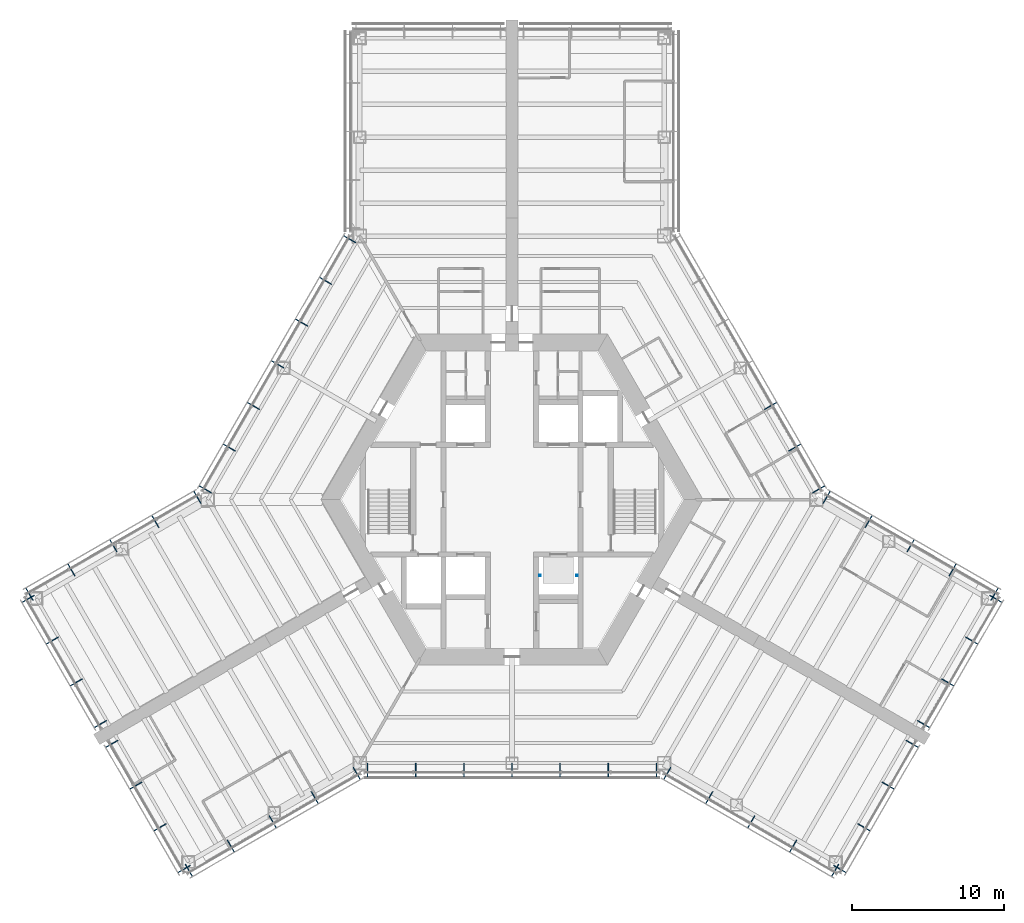
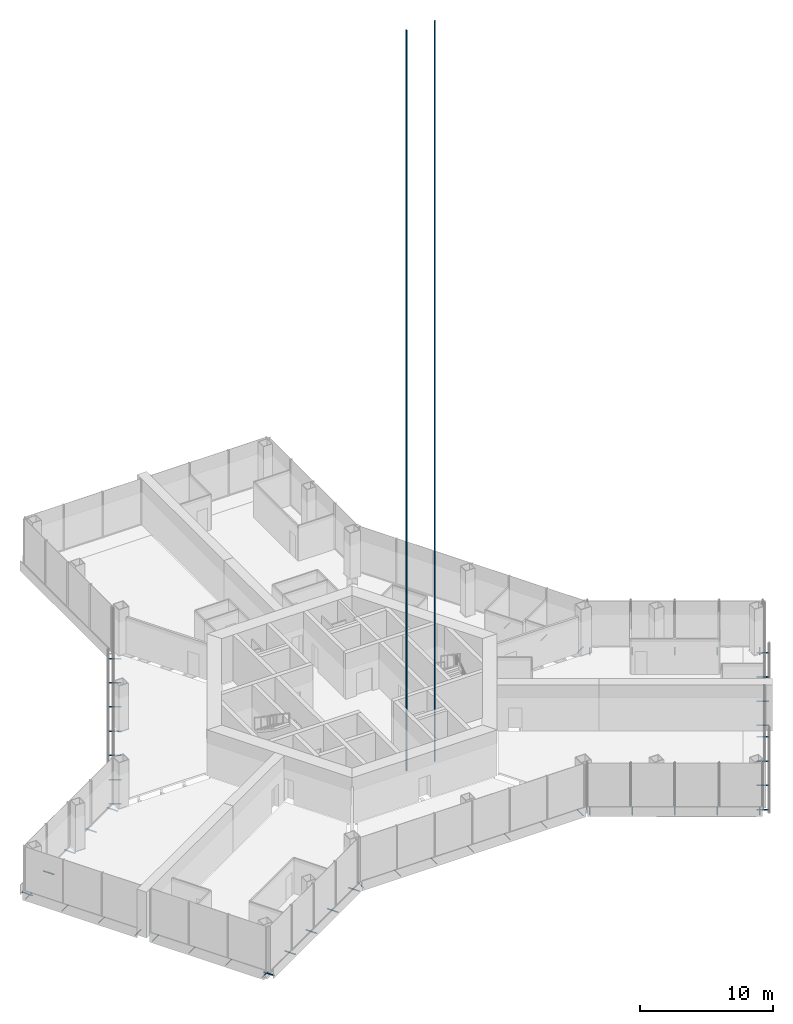
# One storey, part 14 of 18: 54 discrete accessories.
"""IFC4 building model written with IfcOpenShell, lengths in metres."""

from ifc_helpers import new_model, si_unit, direction, frame, origin, origin_2d, place, context, subcontext, project, spatial, rectangle, hollow_circle, extrude, material, material_profile, profile_set, type_object, element, save


model = new_model("IFC4")

# Units and contexts
model_context = context("Model", 3, precision=1e-05, world=origin(), true_north=direction((0.0, 1.0)))
body_context = subcontext(model_context, "Body", "Model", "MODEL_VIEW")
ifc_project = project(units=[si_unit("LENGTHUNIT", "METRE"), si_unit("AREAUNIT", "SQUARE_METRE"), si_unit("VOLUMEUNIT", "CUBIC_METRE"), si_unit("PLANEANGLEUNIT", "RADIAN"), si_unit("MASSUNIT", "GRAM", prefix="KILO")], contexts=[model_context])

# Site, building, storey
site_placement = place(None, origin())
site = spatial("IfcSite", under=ifc_project, at=site_placement, CompositionType="ELEMENT")
building_placement = place(site_placement, origin())
building = spatial("IfcBuilding", under=site, at=building_placement, Name="Kasaneha Research Tower", CompositionType="ELEMENT")
storey_placement = place(building_placement, frame((0.0, 0.0, 57.0)))
storey = spatial("IfcBuildingStorey", under=building, at=storey_placement, Name="L14", CompositionType="ELEMENT", Elevation=57.0)

# Discrete accessories
ifc_material_1 = material(Name="Steel SN400B", Category="steel")
discrete_accessory_type_1 = type_object("IfcDiscreteAccessoryType", Name="Lift guide rail 100x100", PredefinedType="USERDEFINED", material=ifc_material_1)
discrete_accessory_1_placement = place(storey_placement, frame((0.0, 0.0, -57.0)))
element("IfcDiscreteAccessory", 1, at=discrete_accessory_1_placement, inside=storey, type_object=discrete_accessory_type_1, Name="Lift LO3 guide rails", ObjectType="GUIDE RAIL", PredefinedType="USERDEFINED", context=body_context, shape_type="SweptSolid", body=[
    extrude(rectangle(XDim=0.10009765625, YDim=0.10009765625, at=origin_2d()), frame((1.824951171875, -5.0, 55.4501953125)), (0.0, 0.0, 1.0), 67.800048828125),
    extrude(rectangle(XDim=0.10009765625, YDim=0.10009765625, at=origin_2d()), frame((4.27490234375, -5.0, 55.4501953125)), (0.0, 0.0, 1.0), 67.800048828125),
])
ifc_material_2 = material(Name="Steel STK400", Category="steel")
ifc_material_profile = material_profile(ifc_material_2, hollow_circle(Radius=0.0380859375, WallThickness=0.00390625, at=origin_2d()), Name="CHS-76.3x4.0")
ifc_profile_set = profile_set([ifc_material_profile], Name="Steel STK400")
discrete_accessory_type_2 = type_object("IfcDiscreteAccessoryType", Name="Screen bracket CHS-76.3x4.0", PredefinedType="BRACKET", material=ifc_profile_set)
discrete_accessory_2_placement = place(storey_placement, frame((-21.474853515625, -23.945556640625, -0.320068359375), z_axis=(0.500021113727, -0.866013213425, 0.0), x_axis=(0.866013213425, 0.500021113727, 0.0)))
element("IfcDiscreteAccessory", 2, at=discrete_accessory_2_placement, inside=storey, type_object=discrete_accessory_type_2, Name="Screen bracket 1", PredefinedType="BRACKET", context=body_context, shape_type="SweptSolid", body=[
    extrude(hollow_circle(Radius=0.0380859375, WallThickness=0.00390625, at=origin_2d()), origin(), (0.0, 0.0, 1.0), 0.919921875),
])
discrete_accessory_3_placement = place(storey_placement, frame((-18.716796875, -22.35302734375, -0.320068359375), z_axis=(0.500105201737, -0.865964657013, 0.0), x_axis=(0.865964657013, 0.500105201737, 0.0)))
element("IfcDiscreteAccessory", 3, at=discrete_accessory_3_placement, inside=storey, type_object=discrete_accessory_type_2, Name="Screen bracket 2", PredefinedType="BRACKET", context=body_context, shape_type="SweptSolid", body=[
    extrude(hollow_circle(Radius=0.0380859375, WallThickness=0.00390625, at=origin_2d()), origin(), (0.0, 0.0, 1.0), 0.920166015625),
])
discrete_accessory_4_placement = place(storey_placement, frame((-15.95849609375, -20.7607421875, -0.320068359375), z_axis=(0.500021113727, -0.866013213425, 0.0), x_axis=(0.866013213425, 0.500021113727, 0.0)))
element("IfcDiscreteAccessory", 4, at=discrete_accessory_4_placement, inside=storey, type_object=discrete_accessory_type_2, Name="Screen bracket 3", PredefinedType="BRACKET", context=body_context, shape_type="SweptSolid", body=[
    extrude(hollow_circle(Radius=0.0380859375, WallThickness=0.00390625, at=origin_2d()), origin(), (0.0, 0.0, 1.0), 0.919921875),
])
discrete_accessory_5_placement = place(storey_placement, frame((-13.200439453125, -19.168212890625, -0.320068359375), z_axis=(0.499906209203, -0.866079547155, 0.0), x_axis=(0.866079547155, 0.499906209203, 0.0)))
element("IfcDiscreteAccessory", 5, at=discrete_accessory_5_placement, inside=storey, type_object=discrete_accessory_type_2, Name="Screen bracket 4", PredefinedType="BRACKET", context=body_context, shape_type="SweptSolid", body=[
    extrude(hollow_circle(Radius=0.0380859375, WallThickness=0.00390625, at=origin_2d()), origin(), (0.0, 0.0, 1.0), 0.920166015625),
])
for number, where, z_axis, x_axis, name in (
    (6, (-10.4423828125, -17.575927734375, -0.320068359375), (0.500021113727, -0.866013213425, 0.0), (0.866013213425, 0.500021113727, 0.0), "Screen bracket 5"),
    (7, (-9.4892578125, -17.320556640625, -0.320068359375), (0.0, -1.0, 0.0), (1.0, 0.0, 0.0), "Screen bracket 1"),
    (8, (-6.326171875, -17.320556640625, -0.320068359375), (0.0, -1.0, 0.0), (1.0, 0.0, 0.0), "Screen bracket 2"),
    (9, (-3.1630859375, -17.320556640625, -0.320068359375), (0.0, -1.0, 0.0), (1.0, 0.0, 0.0), "Screen bracket 3"),
    (10, (0.0, -17.320556640625, -0.320068359375), (0.0, -1.0, 0.0), (1.0, 0.0, 0.0), "Screen bracket 4"),
    (11, (3.1630859375, -17.320556640625, -0.320068359375), (0.0, -1.0, 0.0), (1.0, 0.0, 0.0), "Screen bracket 5"),
    (12, (6.326171875, -17.320556640625, -0.320068359375), (0.0, -1.0, 0.0), (1.0, 0.0, 0.0), "Screen bracket 6"),
    (13, (9.4892578125, -17.320556640625, -0.320068359375), (0.0, -1.0, 0.0), (1.0, 0.0, 0.0), "Screen bracket 7"),
    (14, (10.4423828125, -17.575927734375, -0.320068359375), (-0.500021113727, -0.866013213425, 0.0), (0.866013213425, -0.500021113727, 0.0), "Screen bracket 1"),
):
    element("IfcDiscreteAccessory", number, at=place(storey_placement, frame(where, z_axis=z_axis, x_axis=x_axis)), inside=storey, type_object=discrete_accessory_type_2, Name=name, PredefinedType="BRACKET", context=body_context, shape_type="SweptSolid", body=[
        extrude(hollow_circle(Radius=0.0380859375, WallThickness=0.00390625, at=origin_2d()), origin(), (0.0, 0.0, 1.0), 0.919921875),
    ])
discrete_accessory_6_placement = place(storey_placement, frame((13.200439453125, -19.168212890625, -0.320068359375), z_axis=(-0.499906209203, -0.866079547155, 0.0), x_axis=(0.866079547155, -0.499906209203, 0.0)))
element("IfcDiscreteAccessory", 15, at=discrete_accessory_6_placement, inside=storey, type_object=discrete_accessory_type_2, Name="Screen bracket 2", PredefinedType="BRACKET", context=body_context, shape_type="SweptSolid", body=[
    extrude(hollow_circle(Radius=0.0380859375, WallThickness=0.00390625, at=origin_2d()), origin(), (0.0, 0.0, 1.0), 0.920166015625),
])
discrete_accessory_7_placement = place(storey_placement, frame((15.95849609375, -20.7607421875, -0.320068359375), z_axis=(-0.500021113727, -0.866013213425, 0.0), x_axis=(0.866013213425, -0.500021113727, 0.0)))
element("IfcDiscreteAccessory", 16, at=discrete_accessory_7_placement, inside=storey, type_object=discrete_accessory_type_2, Name="Screen bracket 3", PredefinedType="BRACKET", context=body_context, shape_type="SweptSolid", body=[
    extrude(hollow_circle(Radius=0.0380859375, WallThickness=0.00390625, at=origin_2d()), origin(), (0.0, 0.0, 1.0), 0.919921875),
])
discrete_accessory_8_placement = place(storey_placement, frame((18.716796875, -22.35302734375, -0.320068359375), z_axis=(-0.500105201737, -0.865964657013, 0.0), x_axis=(0.865964657013, -0.500105201737, 0.0)))
element("IfcDiscreteAccessory", 17, at=discrete_accessory_8_placement, inside=storey, type_object=discrete_accessory_type_2, Name="Screen bracket 4", PredefinedType="BRACKET", context=body_context, shape_type="SweptSolid", body=[
    extrude(hollow_circle(Radius=0.0380859375, WallThickness=0.00390625, at=origin_2d()), origin(), (0.0, 0.0, 1.0), 0.920166015625),
])
discrete_accessory_9_placement = place(storey_placement, frame((21.474853515625, -23.945556640625, -0.320068359375), z_axis=(-0.500021113727, -0.866013213425, 0.0), x_axis=(0.866013213425, -0.500021113727, 0.0)))
element("IfcDiscreteAccessory", 18, at=discrete_accessory_9_placement, inside=storey, type_object=discrete_accessory_type_2, Name="Screen bracket 5", PredefinedType="BRACKET", context=body_context, shape_type="SweptSolid", body=[
    extrude(hollow_circle(Radius=0.0380859375, WallThickness=0.00390625, at=origin_2d()), origin(), (0.0, 0.0, 1.0), 0.919921875),
])
for number, where, z_axis, x_axis, name in (
    (19, (21.13330078125, -24.037109375, -0.320068359375), (0.866079547155, -0.499906209203, 0.0), (0.499906209203, 0.866079547155, 0.0), "Screen bracket 1"),
    (20, (22.716552734375, -21.294677734375, -0.320068359375), (0.866079547155, -0.499906209203, 0.0), (0.499906209203, 0.866079547155, 0.0), "Screen bracket 2"),
):
    element("IfcDiscreteAccessory", number, at=place(storey_placement, frame(where, z_axis=z_axis, x_axis=x_axis)), inside=storey, type_object=discrete_accessory_type_2, Name=name, PredefinedType="BRACKET", context=body_context, shape_type="SweptSolid", body=[
        extrude(hollow_circle(Radius=0.0380859375, WallThickness=0.00390625, at=origin_2d()), origin(), (0.0, 0.0, 1.0), 0.920166015625),
    ])
discrete_accessory_10_placement = place(storey_placement, frame((24.300048828125, -18.55224609375, -0.320068359375), z_axis=(0.866013213425, -0.500021113727, 0.0), x_axis=(0.500021113727, 0.866013213425, 0.0)))
element("IfcDiscreteAccessory", 21, at=discrete_accessory_10_placement, inside=storey, type_object=discrete_accessory_type_2, Name="Screen bracket 3", PredefinedType="BRACKET", context=body_context, shape_type="SweptSolid", body=[
    extrude(hollow_circle(Radius=0.0380859375, WallThickness=0.00390625, at=origin_2d()), origin(), (0.0, 0.0, 1.0), 0.919921875),
])
for number, where, z_axis, x_axis, name in (
    (22, (25.88330078125, -15.809814453125, -0.320068359375), (0.866079547155, -0.499906209203, 0.0), (0.499906209203, 0.866079547155, 0.0), "Screen bracket 4"),
    (23, (26.63330078125, -14.5107421875, -0.320068359375), (0.866079547155, -0.499906209203, 0.0), (0.499906209203, 0.866079547155, 0.0), "Screen bracket 1"),
    (24, (28.216552734375, -11.768310546875, -0.320068359375), (0.866079547155, -0.499906209203, 0.0), (0.499906209203, 0.866079547155, 0.0), "Screen bracket 2"),
):
    element("IfcDiscreteAccessory", number, at=place(storey_placement, frame(where, z_axis=z_axis, x_axis=x_axis)), inside=storey, type_object=discrete_accessory_type_2, Name=name, PredefinedType="BRACKET", context=body_context, shape_type="SweptSolid", body=[
        extrude(hollow_circle(Radius=0.0380859375, WallThickness=0.00390625, at=origin_2d()), origin(), (0.0, 0.0, 1.0), 0.920166015625),
    ])
discrete_accessory_11_placement = place(storey_placement, frame((29.800048828125, -9.02587890625, -0.320068359375), z_axis=(0.866013213425, -0.500021113727, 0.0), x_axis=(0.500021113727, 0.866013213425, 0.0)))
element("IfcDiscreteAccessory", 25, at=discrete_accessory_11_placement, inside=storey, type_object=discrete_accessory_type_2, Name="Screen bracket 3", PredefinedType="BRACKET", context=body_context, shape_type="SweptSolid", body=[
    extrude(hollow_circle(Radius=0.0380859375, WallThickness=0.00390625, at=origin_2d()), origin(), (0.0, 0.0, 1.0), 0.919921875),
])
discrete_accessory_12_placement = place(storey_placement, frame((31.38330078125, -6.283447265625, -0.320068359375), z_axis=(0.866079547155, -0.499906209203, 0.0), x_axis=(0.499906209203, 0.866079547155, 0.0)))
element("IfcDiscreteAccessory", 26, at=discrete_accessory_12_placement, inside=storey, type_object=discrete_accessory_type_2, Name="Screen bracket 4", PredefinedType="BRACKET", context=body_context, shape_type="SweptSolid", body=[
    extrude(hollow_circle(Radius=0.0380859375, WallThickness=0.00390625, at=origin_2d()), origin(), (0.0, 0.0, 1.0), 0.920166015625),
])
discrete_accessory_13_placement = place(storey_placement, frame((31.474853515625, -6.625, -0.320068359375), z_axis=(0.500021113727, 0.866013213425, 0.0), x_axis=(-0.866013213425, 0.500021113727, 0.0)))
element("IfcDiscreteAccessory", 27, at=discrete_accessory_13_placement, inside=storey, type_object=discrete_accessory_type_2, Name="Screen bracket 1", PredefinedType="BRACKET", context=body_context, shape_type="SweptSolid", body=[
    extrude(hollow_circle(Radius=0.0380859375, WallThickness=0.00390625, at=origin_2d()), origin(), (0.0, 0.0, 1.0), 0.919921875),
])
discrete_accessory_14_placement = place(storey_placement, frame((28.716796875, -5.03271484375, -0.320068359375), z_axis=(0.499906209203, 0.866079547155, 0.0), x_axis=(-0.866079547155, 0.499906209203, 0.0)))
element("IfcDiscreteAccessory", 28, at=discrete_accessory_14_placement, inside=storey, type_object=discrete_accessory_type_2, Name="Screen bracket 2", PredefinedType="BRACKET", context=body_context, shape_type="SweptSolid", body=[
    extrude(hollow_circle(Radius=0.0380859375, WallThickness=0.00390625, at=origin_2d()), origin(), (0.0, 0.0, 1.0), 0.920166015625),
])
discrete_accessory_15_placement = place(storey_placement, frame((25.95849609375, -3.440185546875, -0.320068359375), z_axis=(0.500220121494, 0.865898279276, 0.0), x_axis=(-0.865898279276, 0.500220121494, 0.0)))
element("IfcDiscreteAccessory", 29, at=discrete_accessory_15_placement, inside=storey, type_object=discrete_accessory_type_2, Name="Screen bracket 3", PredefinedType="BRACKET", context=body_context, shape_type="SweptSolid", body=[
    extrude(hollow_circle(Radius=0.0380859375, WallThickness=0.00390625, at=origin_2d()), origin(), (0.0, 0.0, 1.0), 0.919921875),
])
discrete_accessory_16_placement = place(storey_placement, frame((23.200439453125, -1.847900390625, -0.320068359375), z_axis=(0.499906209203, 0.866079547155, 0.0), x_axis=(-0.866079547155, 0.499906209203, 0.0)))
element("IfcDiscreteAccessory", 30, at=discrete_accessory_16_placement, inside=storey, type_object=discrete_accessory_type_2, Name="Screen bracket 4", PredefinedType="BRACKET", context=body_context, shape_type="SweptSolid", body=[
    extrude(hollow_circle(Radius=0.0380859375, WallThickness=0.00390625, at=origin_2d()), origin(), (0.0, 0.0, 1.0), 0.920166015625),
])
for number, where, z_axis, x_axis, name in (
    (31, (20.4423828125, -0.25537109375, -0.320068359375), (0.500021113727, 0.866013213425, 0.0), (-0.866013213425, 0.500021113727, 0.0), "Screen bracket 5"),
    (32, (19.74462890625, 0.4423828125, -0.320068359375), (0.866013213425, 0.500021113727, 0.0), (-0.500021113727, 0.866013213425, 0.0), "Screen bracket 1"),
    (33, (18.1630859375, 3.181640625, -0.320068359375), (0.866013213425, 0.500021113727, 0.0), (-0.500021113727, 0.866013213425, 0.0), "Screen bracket 2"),
    (34, (16.58154296875, 5.9208984375, -0.320068359375), (0.866013213425, 0.500021113727, 0.0), (-0.500021113727, 0.866013213425, 0.0), "Screen bracket 3"),
):
    element("IfcDiscreteAccessory", number, at=place(storey_placement, frame(where, z_axis=z_axis, x_axis=x_axis)), inside=storey, type_object=discrete_accessory_type_2, Name=name, PredefinedType="BRACKET", context=body_context, shape_type="SweptSolid", body=[
        extrude(hollow_circle(Radius=0.0380859375, WallThickness=0.00390625, at=origin_2d()), origin(), (0.0, 0.0, 1.0), 0.919921875),
    ])
discrete_accessory_17_placement = place(storey_placement, frame((-10.25537109375, 16.878173828125, -0.320068359375), z_axis=(-0.866079547155, 0.499906209203, 0.0), x_axis=(-0.499906209203, -0.866079547155, 0.0)))
element("IfcDiscreteAccessory", 35, at=discrete_accessory_17_placement, inside=storey, type_object=discrete_accessory_type_2, Name="Screen bracket 1", PredefinedType="BRACKET", context=body_context, shape_type="SweptSolid", body=[
    extrude(hollow_circle(Radius=0.0380859375, WallThickness=0.00390625, at=origin_2d()), origin(), (0.0, 0.0, 1.0), 0.920166015625),
])
for number, where, z_axis, x_axis, name in (
    (36, (-11.8369140625, 14.138916015625, -0.320068359375), (-0.866013213425, 0.500021113727, 0.0), (-0.500021113727, -0.866013213425, 0.0), "Screen bracket 2"),
    (37, (-13.41845703125, 11.399658203125, -0.320068359375), (-0.866013213425, 0.500021113727, 0.0), (-0.500021113727, -0.866013213425, 0.0), "Screen bracket 3"),
    (38, (-15.0, 8.66015625, -0.320068359375), (-0.865898279276, 0.500220121494, 0.0), (-0.500220121494, -0.865898279276, 0.0), "Screen bracket 4"),
    (39, (-16.58154296875, 5.9208984375, -0.320068359375), (-0.866013213425, 0.500021113727, 0.0), (-0.500021113727, -0.866013213425, 0.0), "Screen bracket 5"),
    (40, (-18.1630859375, 3.181640625, -0.320068359375), (-0.866013213425, 0.500021113727, 0.0), (-0.500021113727, -0.866013213425, 0.0), "Screen bracket 6"),
    (41, (-19.74462890625, 0.4423828125, -0.320068359375), (-0.866013213425, 0.500021113727, 0.0), (-0.500021113727, -0.866013213425, 0.0), "Screen bracket 7"),
    (42, (-20.4423828125, -0.25537109375, -0.320068359375), (-0.500021113727, 0.866013213425, 0.0), (-0.866013213425, -0.500021113727, 0.0), "Screen bracket 1"),
):
    element("IfcDiscreteAccessory", number, at=place(storey_placement, frame(where, z_axis=z_axis, x_axis=x_axis)), inside=storey, type_object=discrete_accessory_type_2, Name=name, PredefinedType="BRACKET", context=body_context, shape_type="SweptSolid", body=[
        extrude(hollow_circle(Radius=0.0380859375, WallThickness=0.00390625, at=origin_2d()), origin(), (0.0, 0.0, 1.0), 0.919921875),
    ])
discrete_accessory_18_placement = place(storey_placement, frame((-23.200439453125, -1.847900390625, -0.320068359375), z_axis=(-0.499906209203, 0.866079547155, 0.0), x_axis=(-0.866079547155, -0.499906209203, 0.0)))
element("IfcDiscreteAccessory", 43, at=discrete_accessory_18_placement, inside=storey, type_object=discrete_accessory_type_2, Name="Screen bracket 2", PredefinedType="BRACKET", context=body_context, shape_type="SweptSolid", body=[
    extrude(hollow_circle(Radius=0.0380859375, WallThickness=0.00390625, at=origin_2d()), origin(), (0.0, 0.0, 1.0), 0.920166015625),
])
discrete_accessory_19_placement = place(storey_placement, frame((-25.95849609375, -3.440185546875, -0.320068359375), z_axis=(-0.500220121494, 0.865898279276, 0.0), x_axis=(-0.865898279276, -0.500220121494, 0.0)))
element("IfcDiscreteAccessory", 44, at=discrete_accessory_19_placement, inside=storey, type_object=discrete_accessory_type_2, Name="Screen bracket 3", PredefinedType="BRACKET", context=body_context, shape_type="SweptSolid", body=[
    extrude(hollow_circle(Radius=0.0380859375, WallThickness=0.00390625, at=origin_2d()), origin(), (0.0, 0.0, 1.0), 0.919921875),
])
discrete_accessory_20_placement = place(storey_placement, frame((-28.716796875, -5.03271484375, -0.320068359375), z_axis=(-0.499906209203, 0.866079547155, 0.0), x_axis=(-0.866079547155, -0.499906209203, 0.0)))
element("IfcDiscreteAccessory", 45, at=discrete_accessory_20_placement, inside=storey, type_object=discrete_accessory_type_2, Name="Screen bracket 4", PredefinedType="BRACKET", context=body_context, shape_type="SweptSolid", body=[
    extrude(hollow_circle(Radius=0.0380859375, WallThickness=0.00390625, at=origin_2d()), origin(), (0.0, 0.0, 1.0), 0.920166015625),
])
discrete_accessory_21_placement = place(storey_placement, frame((-31.474853515625, -6.625, -0.320068359375), z_axis=(-0.500021113727, 0.866013213425, 0.0), x_axis=(-0.866013213425, -0.500021113727, 0.0)))
element("IfcDiscreteAccessory", 46, at=discrete_accessory_21_placement, inside=storey, type_object=discrete_accessory_type_2, Name="Screen bracket 5", PredefinedType="BRACKET", context=body_context, shape_type="SweptSolid", body=[
    extrude(hollow_circle(Radius=0.0380859375, WallThickness=0.00390625, at=origin_2d()), origin(), (0.0, 0.0, 1.0), 0.919921875),
])
discrete_accessory_22_placement = place(storey_placement, frame((-31.38330078125, -6.283447265625, -0.320068359375), z_axis=(-0.866079547155, -0.499906209203, 0.0), x_axis=(0.499906209203, -0.866079547155, 0.0)))
element("IfcDiscreteAccessory", 47, at=discrete_accessory_22_placement, inside=storey, type_object=discrete_accessory_type_2, Name="Screen bracket 1", PredefinedType="BRACKET", context=body_context, shape_type="SweptSolid", body=[
    extrude(hollow_circle(Radius=0.0380859375, WallThickness=0.00390625, at=origin_2d()), origin(), (0.0, 0.0, 1.0), 0.920166015625),
])
discrete_accessory_23_placement = place(storey_placement, frame((-29.800048828125, -9.02587890625, -0.320068359375), z_axis=(-0.866013213425, -0.500021113727, 0.0), x_axis=(0.500021113727, -0.866013213425, 0.0)))
element("IfcDiscreteAccessory", 48, at=discrete_accessory_23_placement, inside=storey, type_object=discrete_accessory_type_2, Name="Screen bracket 2", PredefinedType="BRACKET", context=body_context, shape_type="SweptSolid", body=[
    extrude(hollow_circle(Radius=0.0380859375, WallThickness=0.00390625, at=origin_2d()), origin(), (0.0, 0.0, 1.0), 0.919921875),
])
for number, where, z_axis, x_axis, name in (
    (49, (-28.216552734375, -11.768310546875, -0.320068359375), (-0.866079547155, -0.499906209203, 0.0), (0.499906209203, -0.866079547155, 0.0), "Screen bracket 3"),
    (50, (-26.63330078125, -14.5107421875, -0.320068359375), (-0.866079547155, -0.499906209203, 0.0), (0.499906209203, -0.866079547155, 0.0), "Screen bracket 4"),
    (51, (-25.88330078125, -15.809814453125, -0.320068359375), (-0.866079547155, -0.499906209203, 0.0), (0.499906209203, -0.866079547155, 0.0), "Screen bracket 1"),
):
    element("IfcDiscreteAccessory", number, at=place(storey_placement, frame(where, z_axis=z_axis, x_axis=x_axis)), inside=storey, type_object=discrete_accessory_type_2, Name=name, PredefinedType="BRACKET", context=body_context, shape_type="SweptSolid", body=[
        extrude(hollow_circle(Radius=0.0380859375, WallThickness=0.00390625, at=origin_2d()), origin(), (0.0, 0.0, 1.0), 0.920166015625),
    ])
discrete_accessory_24_placement = place(storey_placement, frame((-24.300048828125, -18.55224609375, -0.320068359375), z_axis=(-0.866013213425, -0.500021113727, 0.0), x_axis=(0.500021113727, -0.866013213425, 0.0)))
element("IfcDiscreteAccessory", 52, at=discrete_accessory_24_placement, inside=storey, type_object=discrete_accessory_type_2, Name="Screen bracket 2", PredefinedType="BRACKET", context=body_context, shape_type="SweptSolid", body=[
    extrude(hollow_circle(Radius=0.0380859375, WallThickness=0.00390625, at=origin_2d()), origin(), (0.0, 0.0, 1.0), 0.919921875),
])
for number, where, z_axis, x_axis, name in (
    (53, (-22.716552734375, -21.294677734375, -0.320068359375), (-0.866079547155, -0.499906209203, 0.0), (0.499906209203, -0.866079547155, 0.0), "Screen bracket 3"),
    (54, (-21.13330078125, -24.037109375, -0.320068359375), (-0.866079547155, -0.499906209203, 0.0), (0.499906209203, -0.866079547155, 0.0), "Screen bracket 4"),
):
    element("IfcDiscreteAccessory", number, at=place(storey_placement, frame(where, z_axis=z_axis, x_axis=x_axis)), inside=storey, type_object=discrete_accessory_type_2, Name=name, PredefinedType="BRACKET", context=body_context, shape_type="SweptSolid", body=[
        extrude(hollow_circle(Radius=0.0380859375, WallThickness=0.00390625, at=origin_2d()), origin(), (0.0, 0.0, 1.0), 0.920166015625),
    ])

save(model, "model.ifc")
